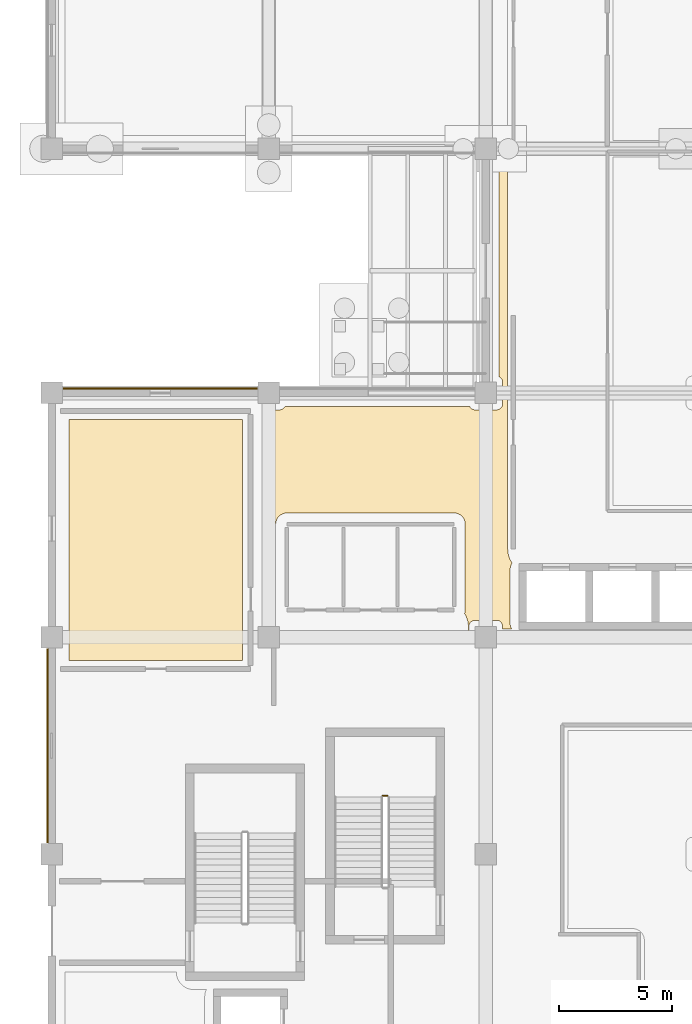
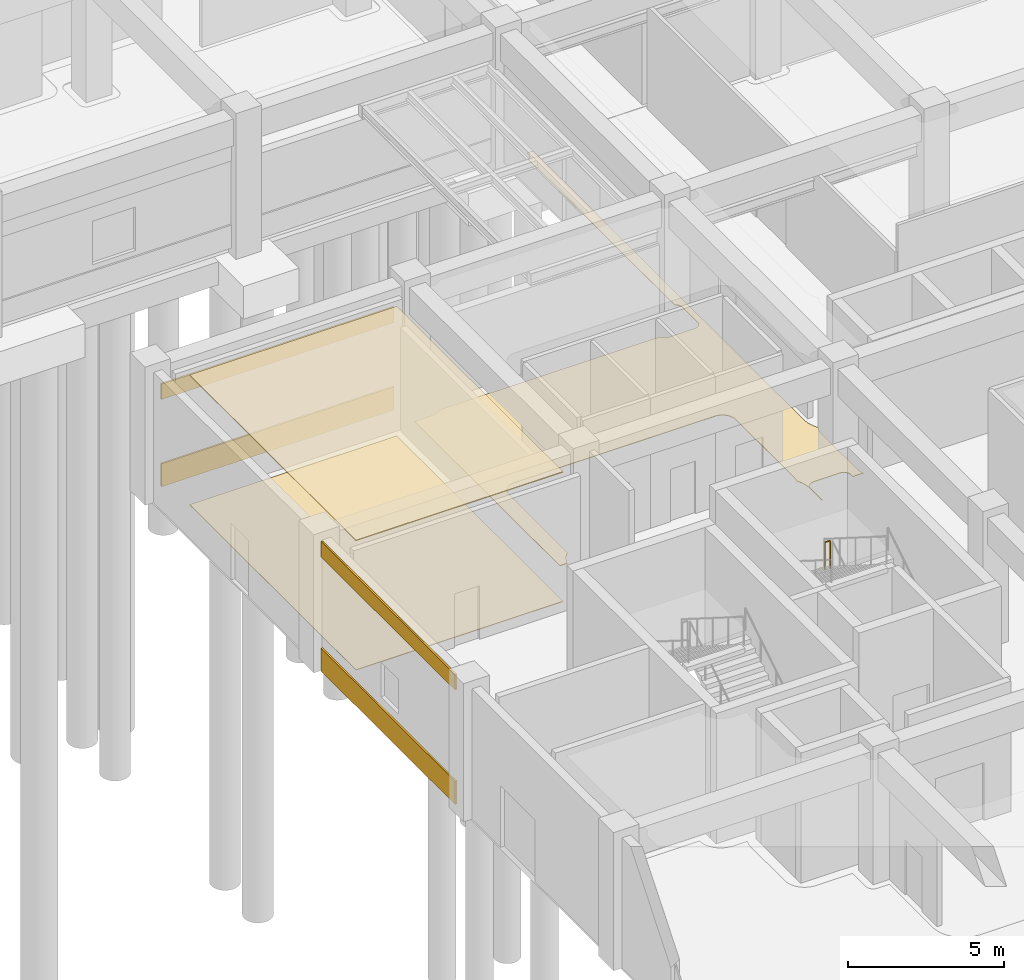
# One storey, part 51 of 74: 7 coverings, 1 railing.
"""IFC4 building model written with IfcOpenShell, lengths in metres."""

from ifc_helpers import new_model, si_unit, direction, frame, origin, origin_2d, place, context, subcontext, project, spatial, polyline, rectangle, circle, outline, extrude, material, layer, layer_set, type_object, element, save


model = new_model("IFC4")

# Units and contexts
model_context = context("Model", 3, precision=1e-05, world=origin(), true_north=direction((0.0, 1.0)))
body_context = subcontext(model_context, "Body", "Model", "MODEL_VIEW")
ifc_project = project(units=[si_unit("LENGTHUNIT", "METRE"), si_unit("AREAUNIT", "SQUARE_METRE"), si_unit("VOLUMEUNIT", "CUBIC_METRE"), si_unit("PLANEANGLEUNIT", "RADIAN"), si_unit("MASSUNIT", "GRAM", prefix="KILO")], contexts=[model_context])

# Site, building, storey
site_placement = place(None, origin())
site = spatial("IfcSite", under=ifc_project, at=site_placement, CompositionType="ELEMENT")
building_placement = place(site_placement, origin())
building = spatial("IfcBuilding", under=site, at=building_placement, Name="Cendralis Terraced Arcade", CompositionType="ELEMENT")
storey_placement = place(building_placement, origin())
storey = spatial("IfcBuildingStorey", under=building, at=storey_placement, Name="L00", CompositionType="ELEMENT", Elevation=0.0)

# Coverings
ifc_material_1 = material(Name="Warm Andean oak timber", Category="wood")
ifc_layer_1 = layer(ifc_material_1, 0.034912109375, Name="COV-CEIL-OAK-35")
ifc_layer_set_1 = layer_set([ifc_layer_1], Name="Warm Andean oak timber")
covering_type_1 = type_object("IfcCoveringType", Name="COV-CEIL-OAK-35", PredefinedType="CEILING", material=ifc_layer_set_1)
covering_1_placement = place(storey_placement, frame((0.0, 0.0, 5.054931640625)))
element("IfcCovering", 1, at=covering_1_placement, inside=storey, type_object=covering_type_1, Name="Acoustic Soffit Ceiling L00-023", PredefinedType="CEILING", context=body_context, shape_type="SweptSolid", body=[
    extrude(outline(polyline([(8.429931640625, 48.030029296875), (8.429931640625, 37.3701171875), (0.77001953125, 37.3701171875), (0.77001953125, 48.030029296875), (8.429931640625, 48.030029296875)])), origin(), (0.0, 0.0, 1.0), 0.03515625),
])
ifc_material_2 = material(Name="Precast concrete f'c 40 MPa", Category="concrete")
ifc_layer_2 = layer(ifc_material_2, 0.06494140625, Name="COV-CLAD-GRC-65")
ifc_layer_set_2 = layer_set([ifc_layer_2], Name="Precast concrete f'c 40 MPa")
covering_type_2 = type_object("IfcCoveringType", Name="COV-CLAD-GRC-65", PredefinedType="CLADDING", material=ifc_layer_set_2)
covering_2_placement = place(storey_placement, frame((-0.18994140625, 33.60009765625, 0.0), z_axis=(0.0, 0.0, 1.0), x_axis=(0.0, 1.0, 0.0)))
element("IfcCovering", 2, at=covering_2_placement, inside=storey, type_object=covering_type_2, Name="Banded Precast Stone Spandrel Cladding L00-015", PredefinedType="CLADDING", context=body_context, shape_type="SweptSolid", body=[
    extrude(rectangle(XDim=8.593994140625, YDim=0.06494140625, at=origin_2d()), origin(), (0.0, 0.0, 1.0), 0.89990234375),
])
covering_3_placement = place(storey_placement, frame((-0.18994140625, 33.60009765625, 4.469970703125), z_axis=(0.0, 0.0, 1.0), x_axis=(0.0, 1.0, 0.0)))
element("IfcCovering", 3, at=covering_3_placement, inside=storey, type_object=covering_type_2, Name="Banded Precast Stone Lintel Cladding L00-016", PredefinedType="CLADDING", context=body_context, shape_type="SweptSolid", body=[
    extrude(rectangle(XDim=8.593994140625, YDim=0.06494140625, at=origin_2d()), origin(), (0.0, 0.0, 1.0), 0.60009765625),
])
covering_4_placement = place(storey_placement, frame((4.800048828125, 49.389892578125, 0.0), z_axis=(0.0, 0.0, 1.0), x_axis=(1.0, 0.0, 0.0)))
element("IfcCovering", 4, at=covering_4_placement, inside=storey, type_object=covering_type_2, Name="Banded Precast Stone Spandrel Cladding L00-017", PredefinedType="CLADDING", context=body_context, shape_type="SweptSolid", body=[
    extrude(rectangle(XDim=8.593994140625, YDim=0.06494140625, at=origin_2d()), origin(), (0.0, 0.0, 1.0), 0.89990234375),
])
covering_5_placement = place(storey_placement, frame((4.800048828125, 49.389892578125, 3.409912109375), z_axis=(0.0, 0.0, 1.0), x_axis=(1.0, 0.0, 0.0)))
element("IfcCovering", 5, at=covering_5_placement, inside=storey, type_object=covering_type_2, Name="Banded Precast Stone Lintel Cladding L00-018", PredefinedType="CLADDING", context=body_context, shape_type="SweptSolid", body=[
    extrude(rectangle(XDim=8.593994140625, YDim=0.06494140625, at=origin_2d()), origin(), (0.0, 0.0, 1.0), 0.60009765625),
])
ifc_layer_3 = layer(ifc_material_1, 0.02197265625, Name="COV-FLR-OAK-22")
ifc_layer_set_3 = layer_set([ifc_layer_3], Name="Warm Andean oak timber")
covering_type_3 = type_object("IfcCoveringType", Name="COV-FLR-OAK-22", PredefinedType="FLOORING", material=ifc_layer_set_3)
covering_6_placement = place(storey_placement, origin())
element("IfcCovering", 6, at=covering_6_placement, inside=storey, type_object=covering_type_3, Name="Interior Finish Flooring L00-023", PredefinedType="FLOORING", context=body_context, shape_type="SweptSolid", body=[
    extrude(outline(polyline([(8.429931640625, 48.030029296875), (8.429931640625, 37.3701171875), (0.77001953125, 37.3701171875), (0.77001953125, 48.030029296875), (8.429931640625, 48.030029296875)])), origin(), (0.0, 0.0, 1.0), 0.02197265625),
])
covering_7_placement = place(storey_placement, origin())
element("IfcCovering", 7, at=covering_7_placement, inside=storey, type_object=covering_type_3, Name="Interior Finish Flooring L00-027", PredefinedType="FLOORING", context=body_context, shape_type="SweptSolid", body=[
    extrude(outline(polyline([(10.074951171875, 48.455078125), (10.08740234375, 48.455322265625), (10.089111328125, 48.455322265625), (10.113525390625, 48.457763671875), (10.115478515625, 48.4580078125), (10.1396484375, 48.462890625), (10.1416015625, 48.46337890625), (10.1650390625, 48.470458984375), (10.1669921875, 48.47119140625), (10.189453125, 48.48046875), (10.19140625, 48.4814453125), (10.212890625, 48.492919921875), (10.214599609375, 48.493896484375), (10.235107421875, 48.507568359375), (10.236572265625, 48.5087890625), (10.255615234375, 48.5244140625), (10.257080078125, 48.525634765625), (10.2744140625, 48.54296875), (10.275634765625, 48.54443359375), (10.291259765625, 48.5634765625), (10.29248046875, 48.56494140625), (10.30615234375, 48.58544921875), (10.30712890625, 48.5869140625), (10.318603515625, 48.608642578125), (10.3193359375, 48.610107421875), (18.480712890625, 48.610107421875), (18.4814453125, 48.608642578125), (18.492919921875, 48.5869140625), (18.493896484375, 48.58544921875), (18.507568359375, 48.56494140625), (18.5087890625, 48.5634765625), (18.5244140625, 48.54443359375), (18.525634765625, 48.54296875), (18.54296875, 48.525634765625), (18.54443359375, 48.5244140625), (18.5634765625, 48.5087890625), (18.56494140625, 48.507568359375), (18.58544921875, 48.493896484375), (18.5869140625, 48.492919921875), (18.608642578125, 48.4814453125), (18.610595703125, 48.48046875), (18.633056640625, 48.47119140625), (18.635009765625, 48.470458984375), (18.658447265625, 48.46337890625), (18.660400390625, 48.462890625), (18.684326171875, 48.4580078125), (18.686279296875, 48.457763671875), (18.710693359375, 48.455322265625), (18.712646484375, 48.455322265625), (18.72509765625, 48.455078125), (19.675048828125, 48.455078125), (19.687255859375, 48.455322265625), (19.689208984375, 48.455322265625), (19.713623046875, 48.457763671875), (19.715576171875, 48.4580078125), (19.739501953125, 48.462890625), (19.74169921875, 48.46337890625), (19.764892578125, 48.470458984375), (19.766845703125, 48.47119140625), (19.78955078125, 48.48046875), (19.791259765625, 48.4814453125), (19.81298828125, 48.492919921875), (19.814697265625, 48.493896484375), (19.8349609375, 48.507568359375), (19.836669921875, 48.5087890625), (19.855712890625, 48.5244140625), (19.85693359375, 48.525634765625), (19.87451171875, 48.54296875), (19.875732421875, 48.54443359375), (19.891357421875, 48.5634765625), (19.892333984375, 48.56494140625), (19.906005859375, 48.58544921875), (19.906982421875, 48.5869140625), (19.918701171875, 48.608642578125), (19.91943359375, 48.610595703125), (19.928955078125, 48.633056640625), (19.929443359375, 48.635009765625), (19.9365234375, 48.658447265625), (19.93701171875, 48.660400390625), (19.94189453125, 48.684326171875), (19.942138671875, 48.686279296875), (19.944580078125, 48.710693359375), (19.944580078125, 48.712646484375), (19.945068359375, 48.72509765625), (19.945068359375, 49.675048828125), (19.944580078125, 49.687255859375), (19.944580078125, 49.689208984375), (19.942138671875, 49.713623046875), (19.94189453125, 49.715576171875), (19.93701171875, 49.739501953125), (19.9365234375, 49.74169921875), (19.929443359375, 49.764892578125), (19.928955078125, 49.766845703125), (19.91943359375, 49.78955078125), (19.918701171875, 49.791259765625), (19.906982421875, 49.81298828125), (19.906005859375, 49.814697265625), (19.892333984375, 49.8349609375), (19.891357421875, 49.836669921875), (19.875732421875, 49.855712890625), (19.87451171875, 49.85693359375), (19.85693359375, 49.87451171875), (19.855712890625, 49.875732421875), (19.836669921875, 49.891357421875), (19.8349609375, 49.892333984375), (19.814697265625, 49.906005859375), (19.81298828125, 49.906982421875), (19.791259765625, 49.918701171875), (19.7900390625, 49.919189453125), (19.7900390625, 59.28076171875), (19.791259765625, 59.281494140625), (19.81298828125, 59.29296875), (19.814697265625, 59.2939453125), (19.8349609375, 59.3076171875), (19.836669921875, 59.30859375), (19.855712890625, 59.32421875), (19.85693359375, 59.32568359375), (19.87451171875, 59.343017578125), (19.875732421875, 59.344482421875), (19.891357421875, 59.36328125), (19.892333984375, 59.364990234375), (19.906005859375, 59.385498046875), (19.906982421875, 59.386962890625), (19.918701171875, 59.40869140625), (19.91943359375, 59.410400390625), (19.928955078125, 59.43310546875), (19.929443359375, 59.43505859375), (19.9365234375, 59.45849609375), (19.93701171875, 59.46044921875), (19.94189453125, 59.484375), (19.942138671875, 59.486328125), (19.944580078125, 59.5107421875), (19.944580078125, 59.5126953125), (19.945068359375, 59.52490234375), (19.945068359375, 59.6298828125), (20.169921875, 59.6298828125), (20.169921875, 42.304931640625), (20.169921875, 42.302001953125), (20.170166015625, 42.299072265625), (20.170166015625, 42.2958984375), (20.17041015625, 42.2900390625), (20.17041015625, 42.287109375), (20.17041015625, 42.283935546875), (20.170654296875, 42.281005859375), (20.173583984375, 42.22021484375), (20.174072265625, 42.214111328125), (20.17431640625, 42.208251953125), (20.1748046875, 42.2021484375), (20.176025390625, 42.1904296875), (20.1767578125, 42.184326171875), (20.177490234375, 42.178466796875), (20.17822265625, 42.17236328125), (20.187255859375, 42.112060546875), (20.188232421875, 42.106201171875), (20.189208984375, 42.100341796875), (20.190185546875, 42.09423828125), (20.192626953125, 42.082763671875), (20.19384765625, 42.07666015625), (20.1953125, 42.071044921875), (20.196533203125, 42.06494140625), (20.21142578125, 42.006103515625), (20.212890625, 42.0), (20.214599609375, 41.994384765625), (20.21630859375, 41.988525390625), (20.219482421875, 41.977294921875), (20.221435546875, 41.97119140625), (20.223388671875, 41.9658203125), (20.225341796875, 41.9599609375), (20.245849609375, 41.902587890625), (20.248046875, 41.89697265625), (20.25, 41.891357421875), (20.25244140625, 41.8857421875), (20.2568359375, 41.874755859375), (20.25927734375, 41.869140625), (20.26171875, 41.86376953125), (20.26416015625, 41.858154296875), (20.290283203125, 41.80322265625), (20.29296875, 41.797607421875), (20.295654296875, 41.79248046875), (20.29833984375, 41.787109375), (20.303955078125, 41.776611328125), (20.306884765625, 41.771240234375), (20.309814453125, 41.76611328125), (20.31298828125, 41.7607421875), (20.34423828125, 41.70849609375), (20.347412109375, 41.703369140625), (20.3505859375, 41.698486328125), (20.35400390625, 41.693359375), (20.360595703125, 41.68359375), (20.362548828125, 41.680419921875), (20.359130859375, 41.67431640625), (20.353515625, 41.663818359375), (20.347900390625, 41.65283203125), (20.3330078125, 41.62109375), (20.327880859375, 41.609619140625), (20.323486328125, 41.598876953125), (20.319091796875, 41.58740234375), (20.30712890625, 41.55419921875), (20.30322265625, 41.54248046875), (20.2998046875, 41.53125), (20.296630859375, 41.519287109375), (20.2880859375, 41.485107421875), (20.285400390625, 41.47314453125), (20.282958984375, 41.461669921875), (20.281005859375, 41.449462890625), (20.275634765625, 41.41455078125), (20.274169921875, 41.40234375), (20.273193359375, 41.390625), (20.272216796875, 41.37841796875), (20.2705078125, 41.34326171875), (20.270263671875, 41.3369140625), (20.27001953125, 41.3310546875), (20.27001953125, 41.324951171875), (20.27001953125, 39.074951171875), (20.27001953125, 39.06884765625), (20.270263671875, 39.06298828125), (20.2705078125, 39.056884765625), (20.272216796875, 39.021484375), (20.273193359375, 39.00927734375), (20.274169921875, 38.99755859375), (20.275634765625, 38.9853515625), (20.281005859375, 38.950439453125), (20.282958984375, 38.9384765625), (20.285400390625, 38.9267578125), (20.2880859375, 38.914794921875), (20.296630859375, 38.880615234375), (20.2998046875, 38.868896484375), (20.30322265625, 38.857421875), (20.30712890625, 38.845703125), (20.319091796875, 38.8125), (20.323486328125, 38.801025390625), (20.327880859375, 38.790283203125), (20.3330078125, 38.779052734375), (20.337158203125, 38.77001953125), (19.945068359375, 38.77001953125), (19.945068359375, 38.875), (19.944580078125, 38.88720703125), (19.944580078125, 38.88916015625), (19.942138671875, 38.91357421875), (19.94189453125, 38.91552734375), (19.93701171875, 38.939697265625), (19.9365234375, 38.941650390625), (19.929443359375, 38.965087890625), (19.928955078125, 38.966796875), (19.91943359375, 38.989501953125), (19.918701171875, 38.9912109375), (19.906982421875, 39.012939453125), (19.906005859375, 39.0146484375), (19.892333984375, 39.034912109375), (19.891357421875, 39.03662109375), (19.875732421875, 39.0556640625), (19.87451171875, 39.056884765625), (19.85693359375, 39.074462890625), (19.855712890625, 39.07568359375), (19.836669921875, 39.09130859375), (19.8349609375, 39.09228515625), (19.814697265625, 39.106201171875), (19.81298828125, 39.107177734375), (19.791259765625, 39.11865234375), (19.78955078125, 39.119384765625), (19.766845703125, 39.12890625), (19.764892578125, 39.12939453125), (19.74169921875, 39.13671875), (19.739501953125, 39.13720703125), (19.715576171875, 39.141845703125), (19.713623046875, 39.14208984375), (19.689208984375, 39.14453125), (19.687255859375, 39.144775390625), (19.675048828125, 39.14501953125), (18.72509765625, 39.14501953125), (18.712646484375, 39.144775390625), (18.710693359375, 39.14453125), (18.686279296875, 39.14208984375), (18.684326171875, 39.141845703125), (18.660400390625, 39.13720703125), (18.658447265625, 39.13671875), (18.635009765625, 39.12939453125), (18.633056640625, 39.12890625), (18.610595703125, 39.119384765625), (18.608642578125, 39.11865234375), (18.5869140625, 39.107177734375), (18.58544921875, 39.106201171875), (18.56494140625, 39.09228515625), (18.5634765625, 39.09130859375), (18.54443359375, 39.07568359375), (18.54296875, 39.074462890625), (18.525634765625, 39.056884765625), (18.5244140625, 39.0556640625), (18.5087890625, 39.03662109375), (18.507568359375, 39.034912109375), (18.493896484375, 39.0146484375), (18.492919921875, 39.012939453125), (18.4814453125, 38.9912109375), (18.48046875, 38.989501953125), (18.47119140625, 38.966796875), (18.470458984375, 38.965087890625), (18.46337890625, 38.941650390625), (18.462890625, 38.939697265625), (18.4580078125, 38.91552734375), (18.457763671875, 38.91357421875), (18.455322265625, 38.88916015625), (18.455322265625, 38.88720703125), (18.455078125, 38.875), (18.455078125, 38.1298828125), (18.429931640625, 38.1298828125), (18.429931640625, 38.860107421875), (18.429931640625, 38.863037109375), (18.429931640625, 38.865966796875), (18.429931640625, 38.869140625), (18.4296875, 38.875), (18.4296875, 38.8779296875), (18.429443359375, 38.881103515625), (18.429443359375, 38.884033203125), (18.426513671875, 38.94482421875), (18.426025390625, 38.950927734375), (18.425537109375, 38.956787109375), (18.425048828125, 38.962890625), (18.423828125, 38.974609375), (18.42333984375, 38.980712890625), (18.422607421875, 38.986572265625), (18.421630859375, 38.99267578125), (18.412841796875, 39.052978515625), (18.411865234375, 39.058837890625), (18.410888671875, 39.064697265625), (18.40966796875, 39.07080078125), (18.407470703125, 39.082275390625), (18.406005859375, 39.08837890625), (18.40478515625, 39.093994140625), (18.4033203125, 39.10009765625), (18.388671875, 39.158935546875), (18.38720703125, 39.1650390625), (18.385498046875, 39.170654296875), (18.3837890625, 39.176513671875), (18.38037109375, 39.187744140625), (18.37841796875, 39.193603515625), (18.376708984375, 39.19921875), (18.374755859375, 39.205078125), (18.354248046875, 39.26220703125), (18.35205078125, 39.26806640625), (18.349853515625, 39.273681640625), (18.34765625, 39.279296875), (18.343017578125, 39.290283203125), (18.3408203125, 39.2958984375), (18.33837890625, 39.30126953125), (18.335693359375, 39.306884765625), (18.309814453125, 39.36181640625), (18.30712890625, 39.3671875), (18.304443359375, 39.37255859375), (18.301513671875, 39.3779296875), (18.2958984375, 39.388427734375), (18.293212890625, 39.393798828125), (18.290283203125, 39.39892578125), (18.287109375, 39.404296875), (18.263916015625, 39.44287109375), (18.26708984375, 39.4521484375), (18.2705078125, 39.46337890625), (18.273681640625, 39.475341796875), (18.276611328125, 39.48681640625), (18.279296875, 39.498779296875), (18.281494140625, 39.51025390625), (18.28369140625, 39.522216796875), (18.285400390625, 39.533935546875), (18.286865234375, 39.546142578125), (18.2880859375, 39.557861328125), (18.2890625, 39.570068359375), (18.28955078125, 39.581787109375), (18.289794921875, 39.587890625), (18.289794921875, 39.593994140625), (18.2900390625, 39.60009765625), (18.2900390625, 43.39990234375), (18.289794921875, 43.406005859375), (18.289794921875, 43.412109375), (18.28955078125, 43.418212890625), (18.2890625, 43.429931640625), (18.2880859375, 43.442138671875), (18.286865234375, 43.453857421875), (18.285400390625, 43.466064453125), (18.28369140625, 43.477783203125), (18.281494140625, 43.48974609375), (18.279296875, 43.501220703125), (18.276611328125, 43.51318359375), (18.273681640625, 43.524658203125), (18.2705078125, 43.53662109375), (18.26708984375, 43.5478515625), (18.26318359375, 43.5595703125), (18.25927734375, 43.570556640625), (18.2548828125, 43.58203125), (18.250244140625, 43.593017578125), (18.245361328125, 43.60400390625), (18.240234375, 43.61474609375), (18.23486328125, 43.625732421875), (18.229248046875, 43.635986328125), (18.22314453125, 43.646728515625), (18.217041015625, 43.656982421875), (18.210693359375, 43.667236328125), (18.2041015625, 43.677001953125), (18.197021484375, 43.68701171875), (18.18994140625, 43.696533203125), (18.182373046875, 43.706298828125), (18.1748046875, 43.71533203125), (18.1669921875, 43.724609375), (18.158935546875, 43.7333984375), (18.150390625, 43.7421875), (18.14208984375, 43.75048828125), (18.13330078125, 43.759033203125), (18.12451171875, 43.766845703125), (18.115234375, 43.77490234375), (18.106201171875, 43.782470703125), (18.096435546875, 43.789794921875), (18.087158203125, 43.797119140625), (18.076904296875, 43.803955078125), (18.0673828125, 43.810546875), (18.056884765625, 43.817138671875), (18.046875, 43.8232421875), (18.0361328125, 43.8291015625), (18.025634765625, 43.834716796875), (18.014892578125, 43.84033203125), (18.004150390625, 43.84521484375), (17.992919921875, 43.850341796875), (17.98193359375, 43.854736328125), (17.970703125, 43.859130859375), (17.95947265625, 43.86328125), (17.94775390625, 43.8671875), (17.9365234375, 43.87060546875), (17.9248046875, 43.873779296875), (17.913330078125, 43.876708984375), (17.9013671875, 43.87939453125), (17.889892578125, 43.881591796875), (17.877685546875, 43.8837890625), (17.8662109375, 43.885498046875), (17.85400390625, 43.886962890625), (17.84228515625, 43.88818359375), (17.829833984375, 43.888916015625), (17.818115234375, 43.8896484375), (17.81201171875, 43.889892578125), (17.80615234375, 43.889892578125), (17.800048828125, 43.889892578125), (10.39990234375, 43.889892578125), (10.393798828125, 43.889892578125), (10.387939453125, 43.889892578125), (10.3818359375, 43.8896484375), (10.3701171875, 43.888916015625), (10.35791015625, 43.88818359375), (10.34619140625, 43.886962890625), (10.333984375, 43.885498046875), (10.322265625, 43.8837890625), (10.310302734375, 43.881591796875), (10.298583984375, 43.87939453125), (10.28662109375, 43.876708984375), (10.275390625, 43.873779296875), (10.263427734375, 43.87060546875), (10.252197265625, 43.8671875), (10.240478515625, 43.86328125), (10.2294921875, 43.859130859375), (10.218017578125, 43.854736328125), (10.20703125, 43.850341796875), (10.19580078125, 43.84521484375), (10.185302734375, 43.84033203125), (10.17431640625, 43.834716796875), (10.163818359375, 43.8291015625), (10.1533203125, 43.8232421875), (10.14306640625, 43.817138671875), (10.1328125, 43.810546875), (10.123046875, 43.803955078125), (10.11279296875, 43.797119140625), (10.103515625, 43.789794921875), (10.09375, 43.782470703125), (10.084716796875, 43.77490234375), (10.075439453125, 43.766845703125), (10.066650390625, 43.759033203125), (10.057861328125, 43.75048828125), (10.049560546875, 43.7421875), (10.041015625, 43.7333984375), (10.033203125, 43.724609375), (10.025146484375, 43.71533203125), (10.017578125, 43.706298828125), (10.010009765625, 43.696533203125), (10.0029296875, 43.68701171875), (9.99609375, 43.677001953125), (9.989501953125, 43.667236328125), (9.98291015625, 43.656982421875), (9.976806640625, 43.646728515625), (9.970703125, 43.635986328125), (9.965087890625, 43.625732421875), (9.959716796875, 43.61474609375), (9.95458984375, 43.60400390625), (9.94970703125, 43.593017578125), (9.9453125, 43.58203125), (9.94091796875, 43.570556640625), (9.936767578125, 43.5595703125), (9.932861328125, 43.5478515625), (9.929443359375, 43.53662109375), (9.92626953125, 43.524658203125), (9.92333984375, 43.51318359375), (9.920654296875, 43.501220703125), (9.91845703125, 43.48974609375), (9.916259765625, 43.477783203125), (9.91455078125, 43.466064453125), (9.9130859375, 43.453857421875), (9.911865234375, 43.442138671875), (9.910888671875, 43.429931640625), (9.910400390625, 43.418212890625), (9.91015625, 43.412109375), (9.91015625, 43.406005859375), (9.909912109375, 43.39990234375), (9.909912109375, 39.6591796875), (9.907958984375, 39.6572265625), (9.90380859375, 39.6533203125), (9.8994140625, 39.64892578125), (9.89111328125, 39.640625), (9.88671875, 39.63623046875), (9.8828125, 39.632080078125), (9.87841796875, 39.62744140625), (9.837646484375, 39.58251953125), (9.83349609375, 39.577880859375), (9.829833984375, 39.5732421875), (9.82568359375, 39.568603515625), (9.818359375, 39.5595703125), (9.814453125, 39.5546875), (9.810791015625, 39.550048828125), (9.80712890625, 39.545166015625), (9.77099609375, 39.496337890625), (9.767333984375, 39.491455078125), (9.763916015625, 39.486572265625), (9.760498046875, 39.4814453125), (9.75390625, 39.4716796875), (9.75048828125, 39.466552734375), (9.747314453125, 39.461669921875), (9.744140625, 39.456298828125), (9.712890625, 39.404296875), (9.709716796875, 39.39892578125), (9.706787109375, 39.393798828125), (9.7041015625, 39.388427734375), (9.698486328125, 39.3779296875), (9.695556640625, 39.37255859375), (9.69287109375, 39.3671875), (9.690185546875, 39.36181640625), (9.664306640625, 39.306884765625), (9.66162109375, 39.30126953125), (9.6591796875, 39.2958984375), (9.656982421875, 39.290283203125), (9.65234375, 39.279296875), (9.650146484375, 39.273681640625), (9.64794921875, 39.26806640625), (9.645751953125, 39.26220703125), (9.625244140625, 39.205078125), (9.623291015625, 39.19921875), (9.62158203125, 39.193603515625), (9.61962890625, 39.187744140625), (9.6162109375, 39.176513671875), (9.614501953125, 39.170654296875), (9.61279296875, 39.1650390625), (9.611328125, 39.158935546875), (9.60791015625, 39.14501953125), (9.330078125, 39.14501953125), (9.330078125, 48.39990234375), (9.329833984375, 48.406005859375), (9.329833984375, 48.412109375), (9.32958984375, 48.418212890625), (9.328857421875, 48.433837890625), (9.327880859375, 48.446044921875), (9.326904296875, 48.455078125), (10.074951171875, 48.455078125)])), origin(), (0.0, 0.0, 1.0), 0.02197265625),
])

# Railing
ifc_material_3 = material(Name="Brushed stainless steel AISI 316", Category="steel")
railing_type = type_object("IfcRailingType", Name="RL-STAIR-GUARD-1100", PredefinedType="GUARDRAIL", material=ifc_material_3)
railing_placement = place(storey_placement, frame((14.85009765625, 31.389892578125, 2.699951171875)))
element("IfcRailing", 8, at=railing_placement, inside=storey, type_object=railing_type, Name="L00 ST-05 stair guard 2", PredefinedType="GUARDRAIL", context=body_context, shape_type="SweptSolid", body=[
    extrude(circle(Radius=0.02392578125, at=origin_2d()), frame((0.0, 0.0, 1.076171875), z_axis=(-1.0, 0.0, 0.0), x_axis=(0.0, -1.0, 0.0)), (0.0, 0.0, 1.0), 0.2001953125),
    extrude(circle(Radius=0.02099609375, at=origin_2d()), origin(), (0.0, 0.0, 1.0), 1.052001953125),
    extrude(circle(Radius=0.02099609375, at=origin_2d()), frame((-0.2001953125, 0.0, 0.0)), (0.0, 0.0, 1.0), 1.052001953125),
])

save(model, "model.ifc")
